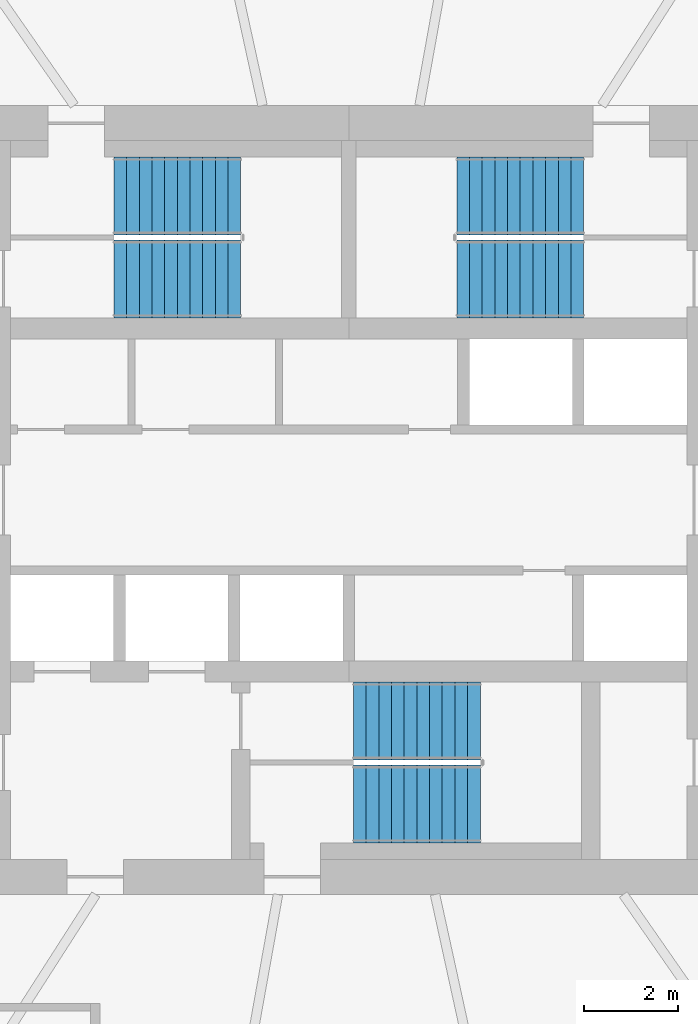
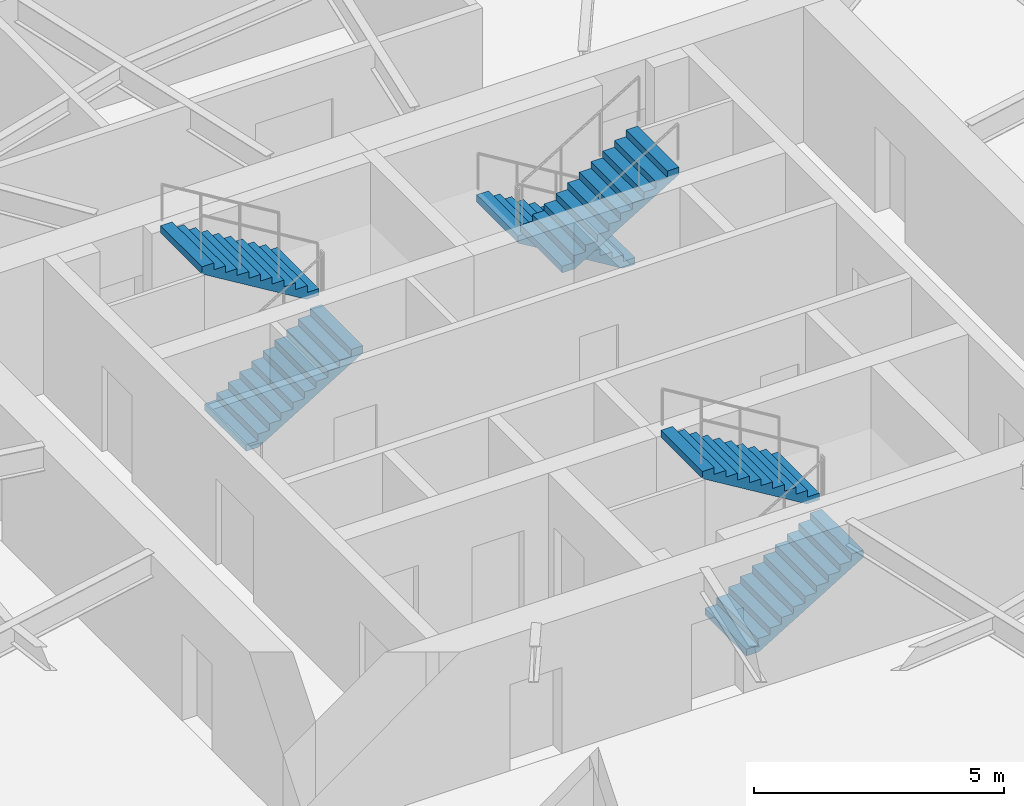
# One storey, part 5 of 8: 6 stair flights, 3 elements without a shape of their own.
"""IFC4 building model written with IfcOpenShell, lengths in metres."""

import ifcopenshell
import ifcopenshell.guid

model = None  # the IFC model being written
_history = None  # IfcOwnerHistory: only IFC2X3 demands one
_inside = {}  # id of a spatial element -> (the spatial element, [elements in it])
_under = {}  # id of a project, library or spatial element -> (it, [spatial elements below it])
_declared = {}  # id of a project -> (the project, [libraries it declares])
_typed = {}  # id of a type object -> (the type object, [elements of that type])
_made_of = {}  # id of a material, layer set ... -> (it, [elements and type objects made of it])


def new_model(schema):
    """Start an empty IFC model of exactly this schema.

    Asked for "IFC4X3", IfcOpenShell would pick the latest addendum, in which some entities
    have other attributes; the version numbers below select the first issue.
    IFC2X3 requires an IfcOwnerHistory on every rooted entity: one is made here for all.
    """
    global model, _history
    if schema == "IFC4X3":
        model = ifcopenshell.file(schema_version=(4, 3, 0, 0))
    else:
        model = ifcopenshell.file(schema=schema)
    _inside.clear()
    _under.clear()
    _declared.clear()
    _typed.clear()
    _made_of.clear()
    _history = None
    if model.schema == "IFC2X3":
        org = make("IfcOrganization", Name="unknown")
        user = make(
            "IfcPersonAndOrganization",
            ThePerson=make("IfcPerson", FamilyName="unknown"),
            TheOrganization=org,
        )
        app = make(
            "IfcApplication",
            ApplicationDeveloper=org,
            Version="unknown",
            ApplicationFullName="unknown",
            ApplicationIdentifier="unknown",
        )
        _history = make(
            "IfcOwnerHistory",
            OwningUser=user,
            OwningApplication=app,
            ChangeAction="ADDED",
            CreationDate=0,
        )
    return model


def make(cls, **values):
    """One entity of the class cls with the attributes given. An attribute that is None is left unset."""
    return model.create_entity(
        cls, **{name: value for name, value in values.items() if value is not None}
    )


def rooted(cls, **values):
    """An entity with a GlobalId (a new one), such as an element, a storey or a relation."""
    return make(cls, GlobalId=ifcopenshell.guid.new(), OwnerHistory=_history, **values)


def si_unit(unit_type, name, prefix=None):
    """IfcSIUnit, for example si_unit("LENGTHUNIT", "METRE", prefix="MILLI")."""
    return make("IfcSIUnit", UnitType=unit_type, Prefix=prefix, Name=name)


def assignment(units):
    """IfcUnitAssignment: the units of a project."""
    return None if units is None else make("IfcUnitAssignment", Units=units)


def point(xyz):
    """IfcCartesianPoint."""
    return None if xyz is None else make("IfcCartesianPoint", Coordinates=xyz)


def direction(xyz):
    """IfcDirection."""
    return None if xyz is None else make("IfcDirection", DirectionRatios=xyz)


def frame(location, z_axis=None, x_axis=None):
    """IfcAxis2Placement3D, a coordinate frame: its origin and axes. An axis left out is left unset."""
    return make(
        "IfcAxis2Placement3D",
        Location=point(location),
        Axis=direction(z_axis),
        RefDirection=direction(x_axis),
    )


def origin():
    """The frame at (0, 0, 0) with its axes left unset."""
    return frame((0.0, 0.0, 0.0))


def place(relative_to, where):
    """IfcLocalPlacement: puts the frame where relative to a parent placement (None: the world)."""
    return make(
        "IfcLocalPlacement", PlacementRelTo=relative_to, RelativePlacement=where
    )


def context(
    kind, dimensions, precision=None, world=None, true_north=None, identifier=None
):
    """IfcGeometricRepresentationContext, for example the 3D "Model" context."""
    return make(
        "IfcGeometricRepresentationContext",
        ContextIdentifier=identifier,
        ContextType=kind,
        CoordinateSpaceDimension=dimensions,
        Precision=precision,
        WorldCoordinateSystem=world,
        TrueNorth=true_north,
    )


def subcontext(parent, identifier, kind, view, scale=None):
    """IfcGeometricRepresentationSubContext, for example "Body" below "Model"."""
    return make(
        "IfcGeometricRepresentationSubContext",
        ContextIdentifier=identifier,
        ContextType=kind,
        ParentContext=parent,
        TargetScale=scale,
        TargetView=view,
    )


def project(units=None, contexts=None):
    """IfcProject with its units and contexts."""
    return rooted(
        "IfcProject",
        Name="project",
        RepresentationContexts=contexts,
        UnitsInContext=assignment(units),
    )


def spatial(cls, under=None, at=None, **own):
    """A site, building, storey or space (cls), placed at a placement, below another one or the project."""
    s = rooted(cls, ObjectPlacement=at, **own)
    if under is not None:
        _under.setdefault(under.id(), (under, []))[1].append(s)
    return s


def polyline(points):
    """IfcPolyline through the points."""
    return make("IfcPolyline", Points=[point(p) for p in points])


def outline(outer, holes=None, kind="AREA"):
    """IfcArbitraryClosedProfileDef: a profile drawn as a closed curve; with holes, ...WithVoids."""
    if holes is None:
        return make("IfcArbitraryClosedProfileDef", ProfileType=kind, OuterCurve=outer)
    return make(
        "IfcArbitraryProfileDefWithVoids",
        ProfileType=kind,
        OuterCurve=outer,
        InnerCurves=holes,
    )


def extrude(swept, where, along, depth):
    """IfcExtrudedAreaSolid: the profile swept, set in the frame where, extruded along a direction by depth."""
    return make(
        "IfcExtrudedAreaSolid",
        SweptArea=swept,
        Position=where,
        ExtrudedDirection=direction(along),
        Depth=depth,
    )


def shape(context_of_items, identifier, shape_type, items):
    """IfcShapeRepresentation: the items that make up one representation, for example the "Body"."""
    return make(
        "IfcShapeRepresentation",
        ContextOfItems=context_of_items,
        RepresentationIdentifier=identifier,
        RepresentationType=shape_type,
        Items=items,
    )


def material(Name=None, Category=None):
    """IfcMaterial."""
    return make("IfcMaterial", Name=Name, Category=Category)


def made_of(thing, what):
    """Note that an element or type object is made of a material, layer set ...; save() writes the relation."""
    if what is not None:
        _made_of.setdefault(what.id(), (what, []))[1].append(thing)
    return thing


def type_object(cls, material=None, **own):
    """A type object (cls), such as IfcWallType, which elements share."""
    return made_of(rooted(cls, **own), material)


def element(
    cls,
    number,
    at=None,
    inside=None,
    cuts=None,
    type_object=None,
    material=None,
    context=None,
    identifier="Body",
    shape_type=None,
    held_by="IfcProductDefinitionShape",
    body=None,
    shapes=None,
    **own,
):
    """One element of the class cls, such as IfcWall. Its Tag is "e" and its number.

    at: its placement. inside: the storey or other place that contains it. cuts: it is an
    opening in that element (IfcRelVoidsElement). A single representation is given by context,
    identifier, shape_type and body (its items); several are given by shapes. held_by: the class
    of the entity that holds the representations. save() writes the other relations.
    """
    e = rooted(cls, Tag="e%d" % number, ObjectPlacement=at, **own)
    if body is not None:
        shapes = [shape(context, identifier, shape_type, body)]
    if shapes is not None:
        e.Representation = make(held_by, Representations=shapes)
    if inside is not None:
        _inside.setdefault(inside.id(), (inside, []))[1].append(e)
    if cuts is not None:
        rooted(
            "IfcRelVoidsElement", RelatingBuildingElement=cuts, RelatedOpeningElement=e
        )
    if type_object is not None:
        _typed.setdefault(type_object.id(), (type_object, []))[1].append(e)
    return made_of(e, material)


def aggregate(whole, parts):
    """IfcRelAggregates: a whole, such as a stair, and the parts it consists of."""
    return rooted("IfcRelAggregates", RelatingObject=whole, RelatedObjects=parts)


def save(model, path):
    """Write the relations noted so far, then the file.

    IfcRelAggregates (storeys below a building ...), IfcRelContainedInSpatialStructure (elements
    in a storey), IfcRelDefinesByType, IfcRelAssociatesMaterial and IfcRelDeclares: one each for
    every whole, place, type object, material and project.
    """
    for whole, parts in _under.values():
        aggregate(whole, parts)
    for where, things in _inside.values():
        rooted(
            "IfcRelContainedInSpatialStructure",
            RelatedElements=things,
            RelatingStructure=where,
        )
    for kind, things in _typed.values():
        rooted("IfcRelDefinesByType", RelatedObjects=things, RelatingType=kind)
    for what, things in _made_of.values():
        rooted("IfcRelAssociatesMaterial", RelatedObjects=things, RelatingMaterial=what)
    for by, libraries in _declared.values():
        rooted("IfcRelDeclares", RelatingContext=by, RelatedDefinitions=libraries)
    model.write(path)


model = new_model("IFC4")

# Units and contexts
model_context = context("Model", 3, precision=1e-05, world=origin(), true_north=direction((0.0, 1.0)))
body_context = subcontext(model_context, "Body", "Model", "MODEL_VIEW")
ifc_project = project(units=[si_unit("LENGTHUNIT", "METRE"), si_unit("AREAUNIT", "SQUARE_METRE"), si_unit("VOLUMEUNIT", "CUBIC_METRE"), si_unit("PLANEANGLEUNIT", "RADIAN"), si_unit("MASSUNIT", "GRAM", prefix="KILO")], contexts=[model_context])

# Site, building, storey
site_placement = place(None, origin())
site = spatial("IfcSite", under=ifc_project, at=site_placement, CompositionType="ELEMENT")
building_placement = place(site_placement, origin())
building = spatial("IfcBuilding", under=site, at=building_placement, Name="Vermilion Reach Broadcast Tower", CompositionType="ELEMENT")
storey_placement = place(building_placement, frame((0.0, 0.0, 242.5)))
storey = spatial("IfcBuildingStorey", under=building, at=storey_placement, Name="L60", CompositionType="ELEMENT", Elevation=242.5)

# Stair, stair flights
ifc_material_1 = material(Name="Concrete C40", Category="concrete")
stair_type = type_object("IfcStairType", Name="Exit stair RC 22 risers 164 mm", PredefinedType="HALF_TURN_STAIR", material=ifc_material_1)
placement = place(storey_placement, origin())
stair_1 = element("IfcStair", 1, at=placement, inside=storey, type_object=stair_type, Name="L60 Exit stair ST1", PredefinedType="HALF_TURN_STAIR")
ifc_material_2 = material(Name="Concrete C40", Category="concrete")
stair_flight_type = type_object("IfcStairFlightType", Name="Exit stair flight RC 11 risers", PredefinedType="STRAIGHT", material=ifc_material_2)
stair_flight_1_placement = place(storey_placement, frame((-11.0, 4.7099609375, 0.0), z_axis=(0.0, 0.0, 1.0), x_axis=(1.0, 0.0, 0.0)))
stair_flight_1 = element("IfcStairFlight", 2, at=stair_flight_1_placement, type_object=stair_flight_type, Name="ST1 flight 1", NumberOfRisers=11, NumberOfTreads=10, PredefinedType="STRAIGHT", RiserHeight=0.163636364, TreadLength=0.27, context=body_context, shape_type="SweptSolid", body=[
    extrude(outline(polyline([(0.0, 0.0), (0.0, 0.16357421875), (0.27001953125, 0.16357421875), (0.27001953125, 0.327392578125), (0.5400390625, 0.327392578125), (0.5400390625, 0.490966796875), (0.81005859375, 0.490966796875), (0.81005859375, 0.654541015625), (1.080078125, 0.654541015625), (1.080078125, 0.818115234375), (1.35009765625, 0.818115234375), (1.35009765625, 0.98193359375), (1.6201171875, 0.98193359375), (1.6201171875, 1.1455078125), (1.889892578125, 1.1455078125), (1.889892578125, 1.30908203125), (2.159912109375, 1.30908203125), (2.159912109375, 1.47265625), (2.429931640625, 1.47265625), (2.429931640625, 1.636474609375), (2.699951171875, 1.636474609375), (2.699951171875, 1.800048828125), (2.699951171875, 1.461181640625), (0.289306640625, 0.0), (0.0, 0.0)])), frame((0.0, 0.830078125, 0.0), z_axis=(0.0, -1.0, 0.0), x_axis=(1.0, 0.0, 0.0)), (0.0, 0.0, 1.0), 1.659912109375),
])
stair_flight_2_placement = place(storey_placement, frame((-8.300048828125, 6.469970703125, 1.800048828125), z_axis=(0.0, 0.0, 1.0), x_axis=(-1.0, 0.0, 0.0)))
stair_flight_2 = element("IfcStairFlight", 3, at=stair_flight_2_placement, type_object=stair_flight_type, Name="ST1 flight 2", NumberOfRisers=11, NumberOfTreads=10, PredefinedType="STRAIGHT", RiserHeight=0.163636364, TreadLength=0.27, context=body_context, shape_type="SweptSolid", body=[
    extrude(outline(polyline([(0.0, 0.0), (0.0, 0.16357421875), (0.27001953125, 0.16357421875), (0.27001953125, 0.327392578125), (0.5400390625, 0.327392578125), (0.5400390625, 0.490966796875), (0.81005859375, 0.490966796875), (0.81005859375, 0.654541015625), (1.080078125, 0.654541015625), (1.080078125, 0.818115234375), (1.35009765625, 0.818115234375), (1.35009765625, 0.98193359375), (1.6201171875, 0.98193359375), (1.6201171875, 1.1455078125), (1.889892578125, 1.1455078125), (1.889892578125, 1.30908203125), (2.159912109375, 1.30908203125), (2.159912109375, 1.47265625), (2.429931640625, 1.47265625), (2.429931640625, 1.636474609375), (2.699951171875, 1.636474609375), (2.699951171875, 1.800048828125), (2.699951171875, 1.461181640625), (0.289306640625, 0.0), (0.0, 0.0)])), frame((0.0, 0.830078125, 0.0), z_axis=(0.0, -1.0, 0.0), x_axis=(1.0, 0.0, 0.0)), (0.0, 0.0, 1.0), 1.659912109375),
])
aggregate(stair_1, [stair_flight_1, stair_flight_2])

stair_2 = element("IfcStair", 4, at=placement, inside=storey, type_object=stair_type, Name="L60 Exit stair ST2", PredefinedType="HALF_TURN_STAIR")
stair_flight_3_placement = place(storey_placement, frame((-1.0, 6.469970703125, 0.0), z_axis=(0.0, 0.0, 1.0), x_axis=(-1.0, 0.0, 0.0)))
stair_flight_3 = element("IfcStairFlight", 5, at=stair_flight_3_placement, type_object=stair_flight_type, Name="ST2 flight 1", NumberOfRisers=11, NumberOfTreads=10, PredefinedType="STRAIGHT", RiserHeight=0.163636364, TreadLength=0.27, context=body_context, shape_type="SweptSolid", body=[
    extrude(outline(polyline([(0.0, 0.0), (0.0, 0.16357421875), (0.27001953125, 0.16357421875), (0.27001953125, 0.327392578125), (0.5400390625, 0.327392578125), (0.5400390625, 0.490966796875), (0.81005859375, 0.490966796875), (0.81005859375, 0.654541015625), (1.080078125, 0.654541015625), (1.080078125, 0.818115234375), (1.35009765625, 0.818115234375), (1.35009765625, 0.98193359375), (1.6201171875, 0.98193359375), (1.6201171875, 1.1455078125), (1.889892578125, 1.1455078125), (1.889892578125, 1.30908203125), (2.159912109375, 1.30908203125), (2.159912109375, 1.47265625), (2.429931640625, 1.47265625), (2.429931640625, 1.636474609375), (2.699951171875, 1.636474609375), (2.699951171875, 1.800048828125), (2.699951171875, 1.461181640625), (0.289306640625, 0.0), (0.0, 0.0)])), frame((0.0, 0.830078125, 0.0), z_axis=(0.0, -1.0, 0.0), x_axis=(1.0, 0.0, 0.0)), (0.0, 0.0, 1.0), 1.659912109375),
])
stair_flight_4_placement = place(storey_placement, frame((-3.699951171875, 4.7099609375, 1.800048828125), z_axis=(0.0, 0.0, 1.0), x_axis=(1.0, 0.0, 0.0)))
stair_flight_4 = element("IfcStairFlight", 6, at=stair_flight_4_placement, type_object=stair_flight_type, Name="ST2 flight 2", NumberOfRisers=11, NumberOfTreads=10, PredefinedType="STRAIGHT", RiserHeight=0.163636364, TreadLength=0.27, context=body_context, shape_type="SweptSolid", body=[
    extrude(outline(polyline([(0.0, 0.0), (0.0, 0.16357421875), (0.27001953125, 0.16357421875), (0.27001953125, 0.327392578125), (0.5400390625, 0.327392578125), (0.5400390625, 0.490966796875), (0.81005859375, 0.490966796875), (0.81005859375, 0.654541015625), (1.080078125, 0.654541015625), (1.080078125, 0.818115234375), (1.35009765625, 0.818115234375), (1.35009765625, 0.98193359375), (1.6201171875, 0.98193359375), (1.6201171875, 1.1455078125), (1.889892578125, 1.1455078125), (1.889892578125, 1.30908203125), (2.159912109375, 1.30908203125), (2.159912109375, 1.47265625), (2.429931640625, 1.47265625), (2.429931640625, 1.636474609375), (2.699951171875, 1.636474609375), (2.699951171875, 1.800048828125), (2.699951171875, 1.461181640625), (0.289306640625, 0.0), (0.0, 0.0)])), frame((0.0, 0.830078125, 0.0), z_axis=(0.0, -1.0, 0.0), x_axis=(1.0, 0.0, 0.0)), (0.0, 0.0, 1.0), 1.659912109375),
])
aggregate(stair_2, [stair_flight_3, stair_flight_4])

stair_3 = element("IfcStair", 7, at=placement, inside=storey, type_object=stair_type, Name="L60 Exit stair ST3", PredefinedType="HALF_TURN_STAIR")
stair_flight_5_placement = place(storey_placement, frame((-5.89990234375, -6.469970703125, 0.0), z_axis=(0.0, 0.0, 1.0), x_axis=(1.0, 0.0, 0.0)))
stair_flight_5 = element("IfcStairFlight", 8, at=stair_flight_5_placement, type_object=stair_flight_type, Name="ST3 flight 1", NumberOfRisers=11, NumberOfTreads=10, PredefinedType="STRAIGHT", RiserHeight=0.163636364, TreadLength=0.27, context=body_context, shape_type="SweptSolid", body=[
    extrude(outline(polyline([(0.0, 0.0), (0.0, 0.16357421875), (0.27001953125, 0.16357421875), (0.27001953125, 0.327392578125), (0.5400390625, 0.327392578125), (0.5400390625, 0.490966796875), (0.81005859375, 0.490966796875), (0.81005859375, 0.654541015625), (1.080078125, 0.654541015625), (1.080078125, 0.818115234375), (1.35009765625, 0.818115234375), (1.35009765625, 0.98193359375), (1.6201171875, 0.98193359375), (1.6201171875, 1.1455078125), (1.889892578125, 1.1455078125), (1.889892578125, 1.30908203125), (2.159912109375, 1.30908203125), (2.159912109375, 1.47265625), (2.429931640625, 1.47265625), (2.429931640625, 1.636474609375), (2.699951171875, 1.636474609375), (2.699951171875, 1.800048828125), (2.699951171875, 1.461181640625), (0.289306640625, 0.0), (0.0, 0.0)])), frame((0.0, 0.830078125, 0.0), z_axis=(0.0, -1.0, 0.0), x_axis=(1.0, 0.0, 0.0)), (0.0, 0.0, 1.0), 1.659912109375),
])
stair_flight_6_placement = place(storey_placement, frame((-3.199951171875, -4.7099609375, 1.800048828125), z_axis=(0.0, 0.0, 1.0), x_axis=(-1.0, 0.0, 0.0)))
stair_flight_6 = element("IfcStairFlight", 9, at=stair_flight_6_placement, type_object=stair_flight_type, Name="ST3 flight 2", NumberOfRisers=11, NumberOfTreads=10, PredefinedType="STRAIGHT", RiserHeight=0.163636364, TreadLength=0.27, context=body_context, shape_type="SweptSolid", body=[
    extrude(outline(polyline([(0.0, 0.0), (0.0, 0.16357421875), (0.27001953125, 0.16357421875), (0.27001953125, 0.327392578125), (0.5400390625, 0.327392578125), (0.5400390625, 0.490966796875), (0.81005859375, 0.490966796875), (0.81005859375, 0.654541015625), (1.080078125, 0.654541015625), (1.080078125, 0.818115234375), (1.35009765625, 0.818115234375), (1.35009765625, 0.98193359375), (1.6201171875, 0.98193359375), (1.6201171875, 1.1455078125), (1.889892578125, 1.1455078125), (1.889892578125, 1.30908203125), (2.159912109375, 1.30908203125), (2.159912109375, 1.47265625), (2.429931640625, 1.47265625), (2.429931640625, 1.636474609375), (2.699951171875, 1.636474609375), (2.699951171875, 1.800048828125), (2.699951171875, 1.461181640625), (0.289306640625, 0.0), (0.0, 0.0)])), frame((0.0, 0.830078125, 0.0), z_axis=(0.0, -1.0, 0.0), x_axis=(1.0, 0.0, 0.0)), (0.0, 0.0, 1.0), 1.659912109375),
])
aggregate(stair_3, [stair_flight_5, stair_flight_6])

save(model, "model.ifc")
